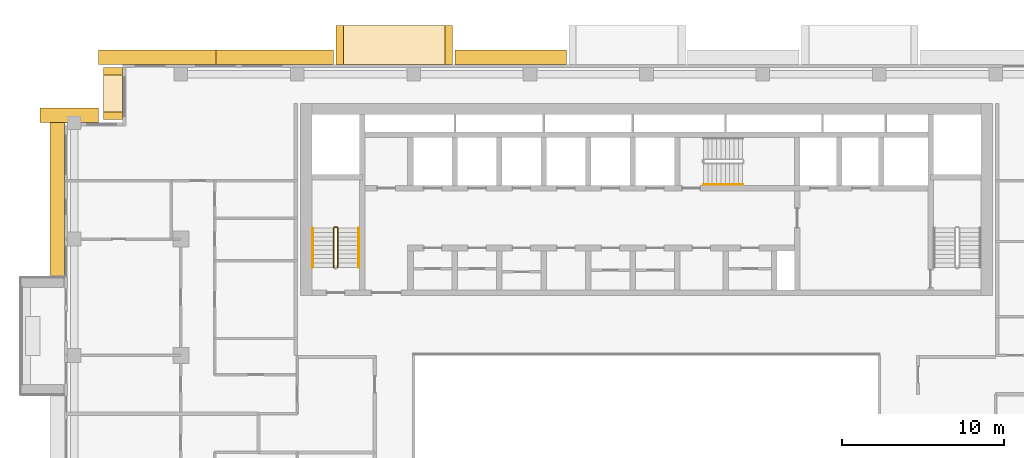
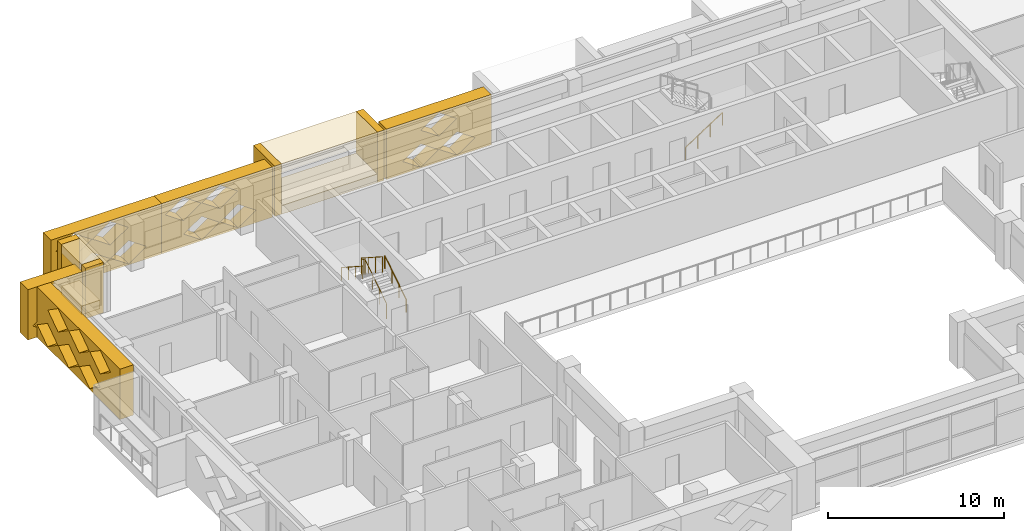
# One storey, part 18 of 20: 13 coverings, 4 railings.
"""IFC4 building model written with IfcOpenShell, lengths in metres."""

from ifc_helpers import new_model, si_unit, direction, frame, origin, origin_2d, place, context, subcontext, project, spatial, polyline, circle, outline, extrude, material, type_object, element, save


model = new_model("IFC4")

# Units and contexts
model_context = context("Model", 3, precision=1e-05, world=origin(), true_north=direction((0.0, 1.0)))
body_context = subcontext(model_context, "Body", "Model", "MODEL_VIEW")
ifc_project = project(units=[si_unit("LENGTHUNIT", "METRE"), si_unit("AREAUNIT", "SQUARE_METRE"), si_unit("VOLUMEUNIT", "CUBIC_METRE"), si_unit("PLANEANGLEUNIT", "RADIAN"), si_unit("MASSUNIT", "GRAM", prefix="KILO")], contexts=[model_context])

# Site, building, storey
site_placement = place(None, origin())
site = spatial("IfcSite", under=ifc_project, at=site_placement, CompositionType="ELEMENT")
building_placement = place(site_placement, origin())
building = spatial("IfcBuilding", under=site, at=building_placement, Name="Saffron Iwan Residences", CompositionType="ELEMENT")
storey_placement = place(building_placement, frame((0.0, 0.0, 157.0)))
storey = spatial("IfcBuildingStorey", under=building, at=storey_placement, Name="L41", CompositionType="ELEMENT", Elevation=157.0)

# Coverings
ifc_material_1 = material(Name="Precast concrete C40/50", Category="concrete")
covering_type_1 = type_object("IfcCoveringType", Name="OUTER SKIN LATTICE SCREEN", PredefinedType="CLADDING", material=ifc_material_1)
covering_1_placement = place(storey_placement, frame((45.449951171875, 80.39990234375, -0.300048828125), z_axis=(0.0, 1.0, 0.0), x_axis=(-1.0, 0.0, 0.0)))
element("IfcCovering", 1, at=covering_1_placement, inside=storey, type_object=covering_type_1, Name="OUTER SKIN lattice screen L41 F5.3", PredefinedType="CLADDING", context=body_context, shape_type="SweptSolid", body=[
    extrude(outline(polyline([(0.0, 0.0), (6.89990234375, 0.0), (6.89990234375, 3.5), (0.0, 3.5), (0.0, 0.0)]), holes=[polyline([(1.070068359375, 0.875), (2.25, 0.06005859375), (3.429931640625, 0.875), (2.25, 1.68994140625), (1.070068359375, 0.875)]), polyline([(3.469970703125, 0.875), (4.64990234375, 0.06005859375), (5.830078125, 0.875), (4.64990234375, 1.68994140625), (3.469970703125, 0.875)]), polyline([(2.27001953125, 2.625), (3.449951171875, 1.81005859375), (4.6298828125, 2.625), (3.449951171875, 3.43994140625), (2.27001953125, 2.625)])]), origin(), (0.0, 0.0, 1.0), 0.900146484375),
])
covering_2_placement = place(storey_placement, frame((31.050048828125, 80.39990234375, -0.300048828125), z_axis=(0.0, 1.0, 0.0), x_axis=(-1.0, 0.0, 0.0)))
element("IfcCovering", 2, at=covering_2_placement, inside=storey, type_object=covering_type_1, Name="OUTER SKIN lattice screen L41 F5.4", PredefinedType="CLADDING", context=body_context, shape_type="SweptSolid", body=[
    extrude(outline(polyline([(0.0, 0.0), (7.27490234375, 0.0), (7.27490234375, 3.5), (0.0, 3.5), (0.0, 0.0)]), holes=[polyline([(1.070068359375, 0.875), (2.25, 0.06005859375), (3.429931640625, 0.875), (2.25, 1.68994140625), (1.070068359375, 0.875)]), polyline([(3.469970703125, 0.875), (4.64990234375, 0.06005859375), (5.830078125, 0.875), (4.64990234375, 1.68994140625), (3.469970703125, 0.875)]), polyline([(2.27001953125, 2.625), (3.449951171875, 1.81005859375), (4.6298828125, 2.625), (3.449951171875, 3.43994140625), (2.27001953125, 2.625)]), polyline([(4.669921875, 2.625), (5.85009765625, 1.81005859375), (7.030029296875, 2.625), (5.85009765625, 3.43994140625), (4.669921875, 2.625)])]), origin(), (0.0, 0.0, 1.0), 0.900146484375),
])
covering_3_placement = place(storey_placement, frame((23.77490234375, 80.39990234375, -0.300048828125), z_axis=(0.0, 1.0, 0.0), x_axis=(-1.0, 0.0, 0.0)))
element("IfcCovering", 3, at=covering_3_placement, inside=storey, type_object=covering_type_1, Name="OUTER SKIN lattice screen L41 F5.5", PredefinedType="CLADDING", context=body_context, shape_type="SweptSolid", body=[
    extrude(outline(polyline([(0.0, 0.0), (7.27490234375, 0.0), (7.27490234375, 3.5), (0.0, 3.5), (0.0, 0.0)]), holes=[polyline([(0.9951171875, 0.875), (2.175048828125, 0.06005859375), (3.35498046875, 0.875), (2.175048828125, 1.68994140625), (0.9951171875, 0.875)]), polyline([(3.39501953125, 0.875), (4.574951171875, 0.06005859375), (5.7548828125, 0.875), (4.574951171875, 1.68994140625), (3.39501953125, 0.875)]), polyline([(2.195068359375, 2.625), (3.375, 1.81005859375), (4.554931640625, 2.625), (3.375, 3.43994140625), (2.195068359375, 2.625)]), polyline([(4.594970703125, 2.625), (5.77490234375, 1.81005859375), (6.955078125, 2.625), (5.77490234375, 3.43994140625), (4.594970703125, 2.625)])]), origin(), (0.0, 0.0, 1.0), 0.900146484375),
])
covering_4_placement = place(storey_placement, frame((16.5, 76.800048828125, -0.300048828125), z_axis=(0.0, 1.0, 0.0), x_axis=(-1.0, 0.0, 0.0)))
element("IfcCovering", 4, at=covering_4_placement, inside=storey, type_object=covering_type_1, Name="OUTER SKIN lattice screen L41 F7.0", PredefinedType="CLADDING", context=body_context, shape_type="SweptSolid", body=[
    extrude(outline(polyline([(0.0, 0.0), (3.60009765625, 0.0), (3.60009765625, 3.5), (0.0, 3.5), (0.0, 0.0)]), holes=[polyline([(0.919921875, 0.875), (2.10009765625, 0.06005859375), (3.280029296875, 0.875), (2.10009765625, 1.68994140625), (0.919921875, 0.875)])]), origin(), (0.0, 0.0, 1.0), 0.89990234375),
])
covering_5_placement = place(storey_placement, frame((14.39990234375, 77.699951171875, -0.300048828125), z_axis=(-1.0, 0.0, 0.0), x_axis=(0.0, -1.0, 0.0)))
element("IfcCovering", 5, at=covering_5_placement, inside=storey, type_object=covering_type_1, Name="OUTER SKIN lattice screen L41 F8.0", PredefinedType="CLADDING", context=body_context, shape_type="SweptSolid", body=[
    extrude(outline(polyline([(0.0, 0.0), (10.35009765625, 0.0), (10.35009765625, 3.5), (0.0, 3.5), (0.0, 0.0)]), holes=[polyline([(0.919921875, 0.875), (2.10009765625, 0.06005859375), (3.280029296875, 0.875), (2.10009765625, 1.68994140625), (0.919921875, 0.875)]), polyline([(3.320068359375, 0.875), (4.5, 0.06005859375), (5.679931640625, 0.875), (4.5, 1.68994140625), (3.320068359375, 0.875)]), polyline([(5.719970703125, 0.875), (6.89990234375, 0.06005859375), (8.080078125, 0.875), (6.89990234375, 1.68994140625), (5.719970703125, 0.875)]), polyline([(2.1201171875, 2.625), (3.300048828125, 1.81005859375), (4.47998046875, 2.625), (3.300048828125, 3.43994140625), (2.1201171875, 2.625)]), polyline([(4.52001953125, 2.625), (5.699951171875, 1.81005859375), (6.8798828125, 2.625), (5.699951171875, 3.43994140625), (4.52001953125, 2.625)]), polyline([(6.919921875, 2.625), (8.10009765625, 1.81005859375), (9.280029296875, 2.625), (8.10009765625, 3.43994140625), (6.919921875, 2.625)])]), origin(), (0.0, 0.0, 1.0), 0.89990234375),
])

# Railings
ifc_material_2 = material(Name="Steel S355", Category="steel")
railing_type_1 = type_object("IfcRailingType", Name="Stair guard 1100", PredefinedType="GUARDRAIL", material=ifc_material_2)
railing_1_placement = place(storey_placement, frame((31.300048828125, 67.85009765625, 0.175048828125)))
element("IfcRailing", 6, at=railing_1_placement, inside=storey, type_object=railing_type_1, Name="L41 ST-W stair guard 1", PredefinedType="GUARDRAIL", context=body_context, shape_type="SweptSolid", body=[
    extrude(circle(Radius=0.02392578125, at=origin_2d()), frame((0.0, 0.0, 1.076171875), z_axis=(0.0, 0.839153699163, 0.543894354798), x_axis=(-1.0, 0.0, 0.0)), (0.0, 0.0, 1.0), 2.895751953125),
    extrude(circle(Radius=0.02392578125, at=origin_2d()), frame((0.0, 2.429931640625, 2.65087890625), z_axis=(-0.707106781187, 0.707106781187, 0.0), x_axis=(-0.707106781187, -0.707106781187, 0.0)), (0.0, 0.0, 1.0), 0.07080078125),
    extrude(circle(Radius=0.02392578125, at=origin_2d()), frame((-0.050048828125, 2.47998046875, 2.65087890625), z_axis=(-1.0, 0.0, 0.0), x_axis=(0.0, -1.0, 0.0)), (0.0, 0.0, 1.0), 0.14990234375),
    extrude(circle(Radius=0.02392578125, at=origin_2d()), frame((-0.199951171875, 2.47998046875, 2.65087890625), z_axis=(-0.265065253269, -0.265065253269, 0.927081885822), x_axis=(0.707106781187, -0.707106781187, 0.0)), (0.0, 0.0, 1.0), 0.188720703125),
    extrude(circle(Radius=0.02392578125, at=origin_2d()), frame((-0.25, 2.429931640625, 2.826171875), z_axis=(0.0, -0.839153699163, 0.543894354798), x_axis=(1.0, 0.0, 0.0)), (0.0, 0.0, 1.0), 2.895751953125),
    extrude(circle(Radius=0.02099609375, at=origin_2d()), origin(), (0.0, 0.0, 1.0), 1.052001953125),
    extrude(circle(Radius=0.02099609375, at=origin_2d()), frame((0.0, 0.81005859375, 0.52490234375)), (0.0, 0.0, 1.0), 1.052001953125),
    extrude(circle(Radius=0.02099609375, at=origin_2d()), frame((0.0, 1.619873046875, 1.050048828125)), (0.0, 0.0, 1.0), 1.052001953125),
    extrude(circle(Radius=0.02099609375, at=origin_2d()), frame((0.0, 2.429931640625, 1.574951171875)), (0.0, 0.0, 1.0), 1.052001953125),
    extrude(circle(Radius=0.02099609375, at=origin_2d()), frame((-0.050048828125, 2.47998046875, 1.574951171875)), (0.0, 0.0, 1.0), 1.052001953125),
    extrude(circle(Radius=0.02099609375, at=origin_2d()), frame((-0.199951171875, 2.47998046875, 1.574951171875)), (0.0, 0.0, 1.0), 1.052001953125),
    extrude(circle(Radius=0.02099609375, at=origin_2d()), frame((-0.25, 2.429931640625, 1.75)), (0.0, 0.0, 1.0), 1.052001953125),
    extrude(circle(Radius=0.02099609375, at=origin_2d()), frame((-0.25, 1.619873046875, 2.27490234375)), (0.0, 0.0, 1.0), 1.052001953125),
    extrude(circle(Radius=0.02099609375, at=origin_2d()), frame((-0.25, 0.81005859375, 2.800048828125)), (0.0, 0.0, 1.0), 1.052001953125),
    extrude(circle(Radius=0.02099609375, at=origin_2d()), frame((-0.25, 0.0, 3.324951171875)), (0.0, 0.0, 1.0), 1.052001953125),
])
ifc_material_3 = material(Name="Stainless steel 316", Category="steel")
railing_type_2 = type_object("IfcRailingType", Name="Stair handrail 900", PredefinedType="HANDRAIL", material=ifc_material_3)
railing_2_placement = place(storey_placement, frame((32.60009765625, 67.85009765625, 0.175048828125)))
element("IfcRailing", 7, at=railing_2_placement, inside=storey, type_object=railing_type_2, Name="L41 ST-W stair handrail 1", PredefinedType="HANDRAIL", context=body_context, shape_type="SweptSolid", body=[
    extrude(circle(Radius=0.02392578125, at=origin_2d()), frame((0.0, 0.0, 0.8759765625), z_axis=(0.0, 0.839153699163, 0.543894354798), x_axis=(-1.0, 0.0, 0.0)), (0.0, 0.0, 1.0), 2.895751953125),
    extrude(circle(Radius=0.02099609375, at=origin_2d()), origin(), (0.0, 0.0, 1.0), 0.851806640625),
    extrude(circle(Radius=0.02099609375, at=origin_2d()), frame((0.0, 0.81005859375, 0.52490234375)), (0.0, 0.0, 1.0), 0.851806640625),
    extrude(circle(Radius=0.02099609375, at=origin_2d()), frame((0.0, 1.619873046875, 1.050048828125)), (0.0, 0.0, 1.0), 0.851806640625),
    extrude(circle(Radius=0.02099609375, at=origin_2d()), frame((0.0, 2.429931640625, 1.574951171875)), (0.0, 0.0, 1.0), 0.851806640625),
])
railing_3_placement = place(storey_placement, frame((29.75, 70.280029296875, 1.925048828125)))
element("IfcRailing", 8, at=railing_3_placement, inside=storey, type_object=railing_type_2, Name="L41 ST-W stair handrail 2", PredefinedType="HANDRAIL", context=body_context, shape_type="SweptSolid", body=[
    extrude(circle(Radius=0.02392578125, at=origin_2d()), frame((0.0, 0.0, 0.8759765625), z_axis=(0.0, -0.839153699163, 0.543894354798), x_axis=(1.0, 0.0, 0.0)), (0.0, 0.0, 1.0), 2.895751953125),
    extrude(circle(Radius=0.02099609375, at=origin_2d()), origin(), (0.0, 0.0, 1.0), 0.851806640625),
    extrude(circle(Radius=0.02099609375, at=origin_2d()), frame((0.0, -0.81005859375, 0.52490234375)), (0.0, 0.0, 1.0), 0.851806640625),
    extrude(circle(Radius=0.02099609375, at=origin_2d()), frame((0.0, -1.619873046875, 1.050048828125)), (0.0, 0.0, 1.0), 0.851806640625),
    extrude(circle(Radius=0.02099609375, at=origin_2d()), frame((0.0, -2.429931640625, 1.574951171875)), (0.0, 0.0, 1.0), 0.851806640625),
])
railing_4_placement = place(storey_placement, frame((53.925048828125, 72.97509765625, 0.175048828125)))
element("IfcRailing", 9, at=railing_4_placement, inside=storey, type_object=railing_type_2, Name="L41 ST-C stair handrail 1", PredefinedType="HANDRAIL", context=body_context, shape_type="SweptSolid", body=[
    extrude(circle(Radius=0.02392578125, at=origin_2d()), frame((0.0, 0.0, 0.8759765625), z_axis=(0.839153699163, 0.0, 0.543894354798), x_axis=(0.0, 1.0, 0.0)), (0.0, 0.0, 1.0), 2.895751953125),
    extrude(circle(Radius=0.02099609375, at=origin_2d()), origin(), (0.0, 0.0, 1.0), 0.851806640625),
    extrude(circle(Radius=0.02099609375, at=origin_2d()), frame((0.81005859375, 0.0, 0.52490234375)), (0.0, 0.0, 1.0), 0.851806640625),
    extrude(circle(Radius=0.02099609375, at=origin_2d()), frame((1.619873046875, 0.0, 1.050048828125)), (0.0, 0.0, 1.0), 0.851806640625),
    extrude(circle(Radius=0.02099609375, at=origin_2d()), frame((2.429931640625, 0.0, 1.574951171875)), (0.0, 0.0, 1.0), 0.851806640625),
])

# Coverings
ifc_material_4 = material(Name="Precast concrete C40/50 white painted", Category="concrete")
covering_type_2 = type_object("IfcCoveringType", Name="WHITE SUN FRAME PRECAST", PredefinedType="CLADDING", material=ifc_material_4)
for number, where, z_axis, x_axis, name in (
    (10, (38.39990234375, 80.39990234375, -0.300048828125), (0.0, 1.0, 0.0), (-1.0, 0.0, 0.0), "Sun frame L41 F5 44.4a"),
    (11, (31.64990234375, 80.39990234375, -0.300048828125), (0.0, 1.0, 0.0), (-1.0, 0.0, 0.0), "Sun frame L41 F5 44.4b"),
):
    element("IfcCovering", number, at=place(storey_placement, frame(where, z_axis=z_axis, x_axis=x_axis)), inside=storey, type_object=covering_type_2, Name=name, PredefinedType="CLADDING", context=body_context, shape_type="SweptSolid", body=[
        extrude(outline(polyline([(0.0, 0.0), (0.449951171875, 0.0), (0.449951171875, 3.5), (0.0, 3.5), (0.0, 0.0)])), origin(), (0.0, 0.0, 1.0), 2.400146484375),
    ])
for number, where, z_axis, x_axis, name in (
    (12, (37.949951171875, 80.39990234375, 2.60009765625), (0.0, 1.0, 0.0), (-1.0, 0.0, 0.0), "Sun frame L41 F5 44.4h"),
    (13, (37.949951171875, 80.39990234375, -0.300048828125), (0.0, 1.0, 0.0), (-1.0, 0.0, 0.0), "Sun frame L41 F5 44.4s"),
):
    element("IfcCovering", number, at=place(storey_placement, frame(where, z_axis=z_axis, x_axis=x_axis)), inside=storey, type_object=covering_type_2, Name=name, PredefinedType="CLADDING", context=body_context, shape_type="SweptSolid", body=[
        extrude(outline(polyline([(0.0, 0.0), (6.300048828125, 0.0), (6.300048828125, 0.60009765625), (0.0, 0.60009765625), (0.0, 0.0)])), origin(), (0.0, 0.0, 1.0), 2.400146484375),
    ])
for number, where, z_axis, x_axis, name in (
    (14, (18.0, 80.199951171875, -0.300048828125), (-1.0, 0.0, 0.0), (0.0, -1.0, 0.0), "Sun frame L41 F6 0.2a"),
    (15, (18.0, 77.449951171875, -0.300048828125), (-1.0, 0.0, 0.0), (0.0, -1.0, 0.0), "Sun frame L41 F6 0.2b"),
):
    element("IfcCovering", number, at=place(storey_placement, frame(where, z_axis=z_axis, x_axis=x_axis)), inside=storey, type_object=covering_type_2, Name=name, PredefinedType="CLADDING", context=body_context, shape_type="SweptSolid", body=[
        extrude(outline(polyline([(0.0, 0.0), (0.449951171875, 0.0), (0.449951171875, 3.5), (0.0, 3.5), (0.0, 0.0)])), origin(), (0.0, 0.0, 1.0), 1.199951171875),
    ])
for number, where, z_axis, x_axis, name in (
    (16, (18.0, 79.75, 2.60009765625), (-1.0, 0.0, 0.0), (0.0, -1.0, 0.0), "Sun frame L41 F6 0.2h"),
    (17, (18.0, 79.75, -0.300048828125), (-1.0, 0.0, 0.0), (0.0, -1.0, 0.0), "Sun frame L41 F6 0.2s"),
):
    element("IfcCovering", number, at=place(storey_placement, frame(where, z_axis=z_axis, x_axis=x_axis)), inside=storey, type_object=covering_type_2, Name=name, PredefinedType="CLADDING", context=body_context, shape_type="SweptSolid", body=[
        extrude(outline(polyline([(0.0, 0.0), (2.300048828125, 0.0), (2.300048828125, 0.60009765625), (0.0, 0.60009765625), (0.0, 0.0)])), origin(), (0.0, 0.0, 1.0), 1.199951171875),
    ])

save(model, "model.ifc")
